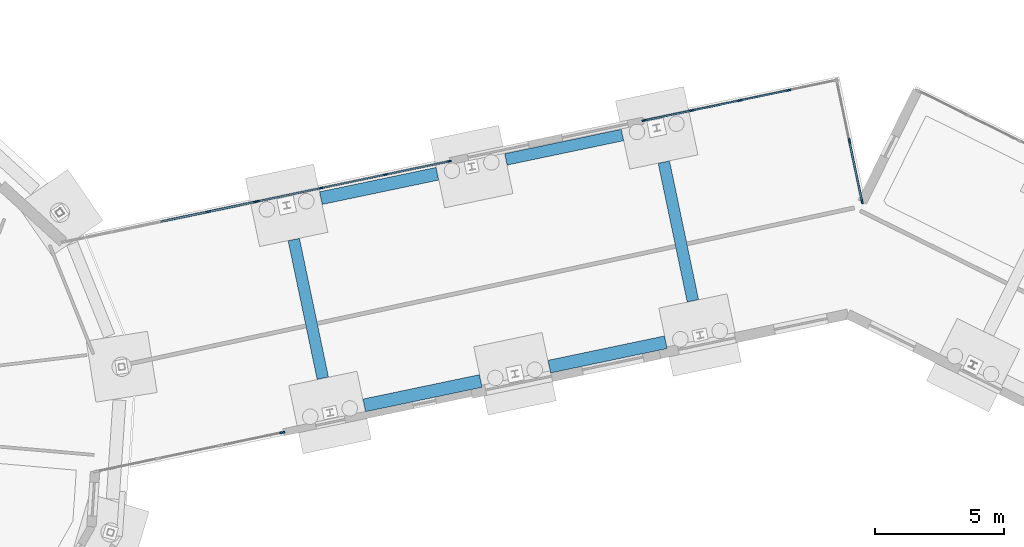
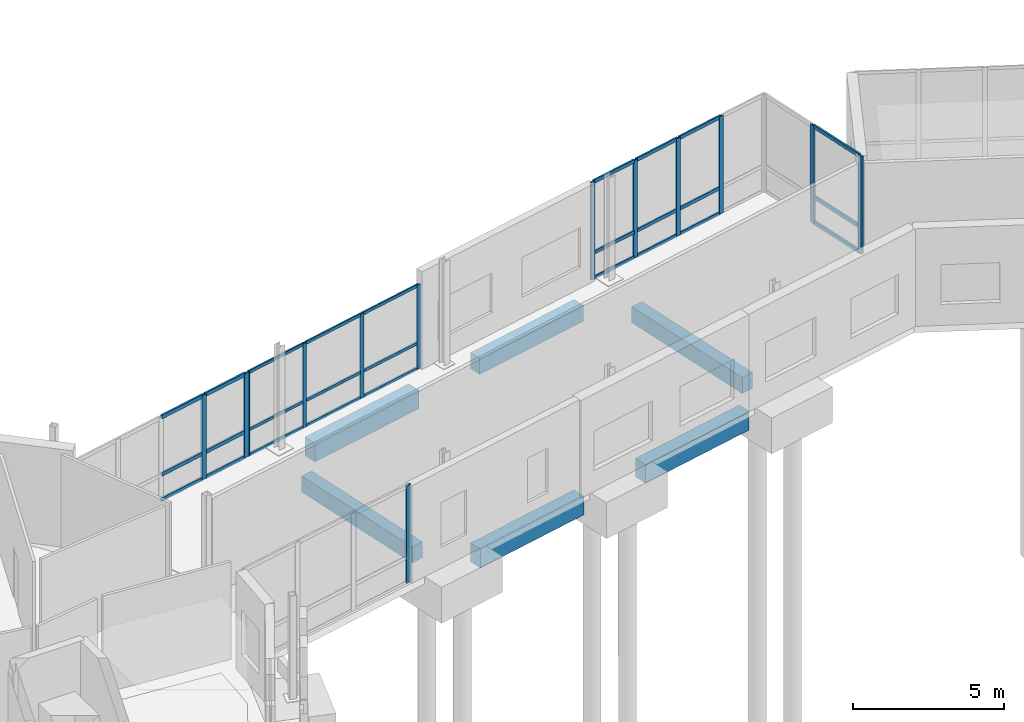
# One storey, part 49 of 113: 40 members, 6 beams, 5 elements without a shape of their own.
"""IFC4 building model written with IfcOpenShell, lengths in metres."""

from ifc_helpers import new_model, si_unit, direction, frame, origin, origin_2d, place, context, subcontext, project, spatial, rectangle, extrude, material, material_profile, profile_set, type_object, element, aggregate, save


model = new_model("IFC4")

# Units and contexts
model_context = context("Model", 3, precision=1e-05, world=origin(), true_north=direction((0.0, 1.0)))
body_context = subcontext(model_context, "Body", "Model", "MODEL_VIEW")
ifc_project = project(units=[si_unit("LENGTHUNIT", "METRE"), si_unit("AREAUNIT", "SQUARE_METRE"), si_unit("VOLUMEUNIT", "CUBIC_METRE"), si_unit("PLANEANGLEUNIT", "RADIAN"), si_unit("MASSUNIT", "GRAM", prefix="KILO")], contexts=[model_context])

# Site, building, storey
site_placement = place(None, origin())
site = spatial("IfcSite", under=ifc_project, at=site_placement, CompositionType="ELEMENT")
building_placement = place(site_placement, origin())
building = spatial("IfcBuilding", under=site, at=building_placement, Name="Wrenclough Park School", CompositionType="ELEMENT")
storey_placement = place(building_placement, origin())
storey = spatial("IfcBuildingStorey", under=building, at=storey_placement, Name="L00", CompositionType="ELEMENT", Elevation=0.0)

# Curtain wall, members
ifc_material_1 = material(Name="Thermally broken aluminium and low-e glass curtain wall", Category="aluminium")
curtain_wall_type_1 = type_object("IfcCurtainWallType", Name="ENV-CW-16", PredefinedType="USERDEFINED", material=ifc_material_1)
curtain_wall_1_placement = place(storey_placement, origin())
curtain_wall_1 = element("IfcCurtainWall", 1, at=curtain_wall_1_placement, inside=storey, type_object=curtain_wall_type_1, Name="L00 recessed curtain wall assembly 015", ObjectType="CURTAIN WALL", PredefinedType="USERDEFINED")
ifc_material_2 = material(Name="Thermally broken anodised aluminium", Category="aluminium")
ifc_material_profile_1 = material_profile(ifc_material_2, rectangle(XDim=0.06005859375, YDim=0.159912109375, at=origin_2d()), Name="AL MULLION 60x160")
ifc_profile_set_1 = profile_set([ifc_material_profile_1], Name="Thermally broken anodised aluminium")
member_type_1 = type_object("IfcMemberType", Name="ENV-CWM-1", PredefinedType="MULLION", material=ifc_profile_set_1)
member_1_placement = place(storey_placement, frame((102.529541015625, 117.16455078125, 0.0), z_axis=(0.0, 0.0, 1.0), x_axis=(-0.204858490521, 0.978791601344, 0.0)))
member_1 = element("IfcMember", 2, at=member_1_placement, type_object=member_type_1, Name="CW-16 mullion 1", PredefinedType="MULLION", context=body_context, shape_type="SweptSolid", body=[
    extrude(rectangle(XDim=0.06005859375, YDim=0.159912109375, at=origin_2d()), origin(), (0.0, 0.0, 1.0), 3.39892578125),
])
member_2_placement = place(storey_placement, frame((104.993896484375, 117.680419921875, 0.0), z_axis=(0.0, 0.0, 1.0), x_axis=(-0.204858490521, 0.978791601344, 0.0)))
member_2 = element("IfcMember", 3, at=member_2_placement, type_object=member_type_1, Name="CW-16 mullion 2", PredefinedType="MULLION", context=body_context, shape_type="SweptSolid", body=[
    extrude(rectangle(XDim=0.06005859375, YDim=0.159912109375, at=origin_2d()), origin(), (0.0, 0.0, 1.0), 3.39892578125),
])
member_3_placement = place(storey_placement, frame((107.48779296875, 118.202392578125, 0.0), z_axis=(0.0, 0.0, 1.0), x_axis=(-0.204858490521, 0.978791601344, 0.0)))
member_3 = element("IfcMember", 4, at=member_3_placement, type_object=member_type_1, Name="CW-16 mullion 3", PredefinedType="MULLION", context=body_context, shape_type="SweptSolid", body=[
    extrude(rectangle(XDim=0.06005859375, YDim=0.159912109375, at=origin_2d()), origin(), (0.0, 0.0, 1.0), 3.39892578125),
])
member_4_placement = place(storey_placement, frame((109.952392578125, 118.71826171875, 0.0), z_axis=(0.0, 0.0, 1.0), x_axis=(-0.204858490521, 0.978791601344, 0.0)))
member_4 = element("IfcMember", 5, at=member_4_placement, type_object=member_type_1, Name="CW-16 mullion 4", PredefinedType="MULLION", context=body_context, shape_type="SweptSolid", body=[
    extrude(rectangle(XDim=0.06005859375, YDim=0.159912109375, at=origin_2d()), origin(), (0.0, 0.0, 1.0), 3.39892578125),
])

curtain_wall_type_2 = type_object("IfcCurtainWallType", Name="ENV-CW-01", PredefinedType="USERDEFINED", material=ifc_material_1)
curtain_wall_2_placement = place(storey_placement, origin())
curtain_wall_2 = element("IfcCurtainWall", 6, at=curtain_wall_2_placement, inside=storey, type_object=curtain_wall_type_2, Name="L00 recessed curtain wall assembly 016", ObjectType="CURTAIN WALL", PredefinedType="USERDEFINED")
ifc_material_profile_2 = material_profile(ifc_material_2, rectangle(XDim=0.06494140625, YDim=0.179931640625, at=origin_2d()), Name="AL MULLION 65x180")
ifc_profile_set_2 = profile_set([ifc_material_profile_2], Name="Thermally broken anodised aluminium")
member_type_2 = type_object("IfcMemberType", Name="ENV-CWM-2", PredefinedType="MULLION", material=ifc_profile_set_2)
member_5_placement = place(storey_placement, frame((117.510986328125, 120.300048828125, 0.0), z_axis=(0.0, 0.0, 1.0), x_axis=(-0.204871023923, 0.978788978052, 0.0)))
member_5 = element("IfcMember", 7, at=member_5_placement, type_object=member_type_2, Name="CW-01 mullion 1", PredefinedType="MULLION", context=body_context, shape_type="SweptSolid", body=[
    extrude(rectangle(XDim=0.06494140625, YDim=0.179931640625, at=origin_2d()), origin(), (0.0, 0.0, 1.0), 3.93994140625),
])
member_6_placement = place(storey_placement, frame((119.349609375, 120.68505859375, 0.0), z_axis=(0.0, 0.0, 1.0), x_axis=(-0.204871023923, 0.978788978052, 0.0)))
member_6 = element("IfcMember", 8, at=member_6_placement, type_object=member_type_2, Name="CW-01 mullion 2", PredefinedType="MULLION", context=body_context, shape_type="SweptSolid", body=[
    extrude(rectangle(XDim=0.06494140625, YDim=0.179931640625, at=origin_2d()), origin(), (0.0, 0.0, 1.0), 3.93994140625),
])
member_7_placement = place(storey_placement, frame((121.219970703125, 121.076416015625, 0.0), z_axis=(0.0, 0.0, 1.0), x_axis=(-0.204871023923, 0.978788978052, 0.0)))
member_7 = element("IfcMember", 9, at=member_7_placement, type_object=member_type_2, Name="CW-01 mullion 3", PredefinedType="MULLION", context=body_context, shape_type="SweptSolid", body=[
    extrude(rectangle(XDim=0.06494140625, YDim=0.179931640625, at=origin_2d()), origin(), (0.0, 0.0, 1.0), 3.93994140625),
])
member_8_placement = place(storey_placement, frame((123.09033203125, 121.468017578125, 0.0), z_axis=(0.0, 0.0, 1.0), x_axis=(-0.204871023923, 0.978788978052, 0.0)))
member_8 = element("IfcMember", 10, at=member_8_placement, type_object=member_type_2, Name="CW-01 mullion 4", PredefinedType="MULLION", context=body_context, shape_type="SweptSolid", body=[
    extrude(rectangle(XDim=0.06494140625, YDim=0.179931640625, at=origin_2d()), origin(), (0.0, 0.0, 1.0), 3.93994140625),
])

curtain_wall_type_3 = type_object("IfcCurtainWallType", Name="ENV-CW-15", PredefinedType="USERDEFINED", material=ifc_material_1)
curtain_wall_3_placement = place(storey_placement, origin())
curtain_wall_3 = element("IfcCurtainWall", 11, at=curtain_wall_3_placement, inside=storey, type_object=curtain_wall_type_3, Name="L00 recessed curtain wall assembly 014", ObjectType="CURTAIN WALL", PredefinedType="USERDEFINED")
ifc_material_profile_3 = material_profile(ifc_material_2, rectangle(XDim=0.070068359375, YDim=0.199951171875, at=origin_2d()), Name="AL MULLION 70x200")
ifc_profile_set_3 = profile_set([ifc_material_profile_3], Name="Thermally broken anodised aluminium")
member_type_3 = type_object("IfcMemberType", Name="ENV-CWM-3", PredefinedType="MULLION", material=ifc_profile_set_3)
member_9_placement = place(storey_placement, frame((100.621826171875, 116.765380859375, 0.0), z_axis=(0.0, 0.0, 1.0), x_axis=(-0.204871023923, 0.978788978052, 0.0)))
member_9 = element("IfcMember", 12, at=member_9_placement, type_object=member_type_3, Name="CW-15 mullion 4", PredefinedType="MULLION", context=body_context, shape_type="SweptSolid", body=[
    extrude(rectangle(XDim=0.070068359375, YDim=0.199951171875, at=origin_2d()), origin(), (0.0, 0.0, 1.0), 3.39892578125),
])
member_10_placement = place(storey_placement, frame((102.4580078125, 117.149658203125, 0.0), z_axis=(0.0, 0.0, 1.0), x_axis=(-0.204871023923, 0.978788978052, 0.0)))
member_10 = element("IfcMember", 13, at=member_10_placement, type_object=member_type_3, Name="CW-15 mullion 5", PredefinedType="MULLION", context=body_context, shape_type="SweptSolid", body=[
    extrude(rectangle(XDim=0.070068359375, YDim=0.199951171875, at=origin_2d()), origin(), (0.0, 0.0, 1.0), 3.39892578125),
])

curtain_wall_type_4 = type_object("IfcCurtainWallType", Name="ENV-CW-02", PredefinedType="USERDEFINED", material=ifc_material_1)
curtain_wall_4_placement = place(storey_placement, origin())
curtain_wall_4 = element("IfcCurtainWall", 14, at=curtain_wall_4_placement, inside=storey, type_object=curtain_wall_type_4, Name="L00 recessed curtain wall assembly 017", ObjectType="CURTAIN WALL", PredefinedType="USERDEFINED")
member_11_placement = place(storey_placement, frame((125.459228515625, 119.498046875, 0.0), z_axis=(0.0, 0.0, 1.0), x_axis=(0.978788883451, 0.20487147589, 0.0)))
member_11 = element("IfcMember", 15, at=member_11_placement, type_object=member_type_3, Name="CW-02 mullion 2", PredefinedType="MULLION", context=body_context, shape_type="SweptSolid", body=[
    extrude(rectangle(XDim=0.070068359375, YDim=0.199951171875, at=origin_2d()), origin(), (0.0, 0.0, 1.0), 3.93994140625),
])
member_12_placement = place(storey_placement, frame((125.945556640625, 117.173828125, 0.0), z_axis=(0.0, 0.0, 1.0), x_axis=(0.978788883451, 0.20487147589, 0.0)))
member_12 = element("IfcMember", 16, at=member_12_placement, type_object=member_type_3, Name="CW-02 mullion 3", PredefinedType="MULLION", context=body_context, shape_type="SweptSolid", body=[
    extrude(rectangle(XDim=0.070068359375, YDim=0.199951171875, at=origin_2d()), origin(), (0.0, 0.0, 1.0), 3.93994140625),
])

# Curtain wall, member
curtain_wall_5_placement = place(storey_placement, origin())
curtain_wall_5 = element("IfcCurtainWall", 17, at=curtain_wall_5_placement, inside=storey, type_object=curtain_wall_type_4, Name="L00 recessed curtain wall assembly 065", ObjectType="CURTAIN WALL", PredefinedType="USERDEFINED")
member_13_placement = place(storey_placement, frame((103.494140625, 108.21240234375, 0.0), z_axis=(0.0, 0.0, 1.0), x_axis=(0.204873635602, -0.978788431396, 0.0)))
member_13 = element("IfcMember", 18, at=member_13_placement, type_object=member_type_3, Name="CW-02 mullion 1", PredefinedType="MULLION", context=body_context, shape_type="SweptSolid", body=[
    extrude(rectangle(XDim=0.070068359375, YDim=0.199951171875, at=origin_2d()), origin(), (0.0, 0.0, 1.0), 3.93994140625),
])
aggregate(curtain_wall_5, [member_13])

# Member
ifc_material_profile_4 = material_profile(ifc_material_2, rectangle(XDim=0.06005859375, YDim=0.1201171875, at=origin_2d()), Name="AL TRANSOM 60x120")
ifc_profile_set_4 = profile_set([ifc_material_profile_4], Name="Thermally broken anodised aluminium")
member_type_4 = type_object("IfcMemberType", Name="ENV-CWT-1", PredefinedType="USERDEFINED", material=ifc_profile_set_4)
member_14_placement = place(storey_placement, frame((102.558837890625, 117.1708984375, 0.030029296875), z_axis=(0.97879988821, 0.204818892783, 0.0), x_axis=(-0.204818892783, 0.97879988821, 0.0)))
member_14 = element("IfcMember", 19, at=member_14_placement, type_object=member_type_4, Name="CW-16 transom 1.1", ObjectType="TRANSOM", PredefinedType="USERDEFINED", context=body_context, shape_type="SweptSolid", body=[
    extrude(rectangle(XDim=0.06005859375, YDim=0.1201171875, at=origin_2d()), origin(), (0.0, 0.0, 1.0), 2.457763671875),
])

member_15_placement = place(storey_placement, frame((102.558837890625, 117.1708984375, 1.050048828125), z_axis=(0.97879988821, 0.204818892783, 0.0), x_axis=(-0.204818892783, 0.97879988821, 0.0)))
member_15 = element("IfcMember", 20, at=member_15_placement, type_object=member_type_4, Name="CW-16 transom 1.2", ObjectType="TRANSOM", PredefinedType="USERDEFINED", context=body_context, shape_type="SweptSolid", body=[
    extrude(rectangle(XDim=0.06005859375, YDim=0.1201171875, at=origin_2d()), origin(), (0.0, 0.0, 1.0), 2.457763671875),
])

member_16_placement = place(storey_placement, frame((102.558837890625, 117.1708984375, 3.368896484375), z_axis=(0.97879988821, 0.204818892783, 0.0), x_axis=(-0.204818892783, 0.97879988821, 0.0)))
member_16 = element("IfcMember", 21, at=member_16_placement, type_object=member_type_4, Name="CW-16 transom 1.3", ObjectType="TRANSOM", PredefinedType="USERDEFINED", context=body_context, shape_type="SweptSolid", body=[
    extrude(rectangle(XDim=0.06005859375, YDim=0.1201171875, at=origin_2d()), origin(), (0.0, 0.0, 1.0), 2.457763671875),
])

member_17_placement = place(storey_placement, frame((105.0234375, 117.6865234375, 0.030029296875), z_axis=(0.978782387359, 0.204902509004, 0.0), x_axis=(-0.204902509004, 0.978782387359, 0.0)))
member_17 = element("IfcMember", 22, at=member_17_placement, type_object=member_type_4, Name="CW-16 transom 2.1", ObjectType="TRANSOM", PredefinedType="USERDEFINED", context=body_context, shape_type="SweptSolid", body=[
    extrude(rectangle(XDim=0.06005859375, YDim=0.1201171875, at=origin_2d()), origin(), (0.0, 0.0, 1.0), 2.48779296875),
])

member_18_placement = place(storey_placement, frame((105.0234375, 117.6865234375, 1.050048828125), z_axis=(0.978782387359, 0.204902509004, 0.0), x_axis=(-0.204902509004, 0.978782387359, 0.0)))
member_18 = element("IfcMember", 23, at=member_18_placement, type_object=member_type_4, Name="CW-16 transom 2.2", ObjectType="TRANSOM", PredefinedType="USERDEFINED", context=body_context, shape_type="SweptSolid", body=[
    extrude(rectangle(XDim=0.06005859375, YDim=0.1201171875, at=origin_2d()), origin(), (0.0, 0.0, 1.0), 2.48779296875),
])

member_19_placement = place(storey_placement, frame((105.0234375, 117.6865234375, 3.368896484375), z_axis=(0.978782387359, 0.204902509004, 0.0), x_axis=(-0.204902509004, 0.978782387359, 0.0)))
member_19 = element("IfcMember", 24, at=member_19_placement, type_object=member_type_4, Name="CW-16 transom 2.3", ObjectType="TRANSOM", PredefinedType="USERDEFINED", context=body_context, shape_type="SweptSolid", body=[
    extrude(rectangle(XDim=0.06005859375, YDim=0.1201171875, at=origin_2d()), origin(), (0.0, 0.0, 1.0), 2.48779296875),
])

member_20_placement = place(storey_placement, frame((107.517333984375, 118.20849609375, 0.030029296875), z_axis=(0.978779970595, 0.204914053109, 0.0), x_axis=(-0.204914053109, 0.978779970595, 0.0)))
member_20 = element("IfcMember", 25, at=member_20_placement, type_object=member_type_4, Name="CW-16 transom 3.1", ObjectType="TRANSOM", PredefinedType="USERDEFINED", context=body_context, shape_type="SweptSolid", body=[
    extrude(rectangle(XDim=0.06005859375, YDim=0.1201171875, at=origin_2d()), origin(), (0.0, 0.0, 1.0), 2.4580078125),
])

member_21_placement = place(storey_placement, frame((107.517333984375, 118.20849609375, 1.050048828125), z_axis=(0.978779970595, 0.204914053109, 0.0), x_axis=(-0.204914053109, 0.978779970595, 0.0)))
member_21 = element("IfcMember", 26, at=member_21_placement, type_object=member_type_4, Name="CW-16 transom 3.2", ObjectType="TRANSOM", PredefinedType="USERDEFINED", context=body_context, shape_type="SweptSolid", body=[
    extrude(rectangle(XDim=0.06005859375, YDim=0.1201171875, at=origin_2d()), origin(), (0.0, 0.0, 1.0), 2.4580078125),
])

member_22_placement = place(storey_placement, frame((107.517333984375, 118.20849609375, 3.368896484375), z_axis=(0.978779970595, 0.204914053109, 0.0), x_axis=(-0.204914053109, 0.978779970595, 0.0)))
member_22 = element("IfcMember", 27, at=member_22_placement, type_object=member_type_4, Name="CW-16 transom 3.3", ObjectType="TRANSOM", PredefinedType="USERDEFINED", context=body_context, shape_type="SweptSolid", body=[
    extrude(rectangle(XDim=0.06005859375, YDim=0.1201171875, at=origin_2d()), origin(), (0.0, 0.0, 1.0), 2.4580078125),
])

aggregate(curtain_wall_1, [member_1, member_2, member_3, member_4, member_14, member_15, member_16, member_17, member_18, member_19, member_20, member_21, member_22])

ifc_material_profile_5 = material_profile(ifc_material_2, rectangle(XDim=0.06494140625, YDim=0.139892578125, at=origin_2d()), Name="AL TRANSOM 65x140")
ifc_profile_set_5 = profile_set([ifc_material_profile_5], Name="Thermally broken anodised aluminium")
member_type_5 = type_object("IfcMemberType", Name="ENV-CWT-2", PredefinedType="USERDEFINED", material=ifc_profile_set_5)
member_23_placement = place(storey_placement, frame((117.542724609375, 120.306884765625, 0.032470703125), z_axis=(0.978807573548, 0.204782162224, 0.0), x_axis=(-0.204782162224, 0.978807573548, 0.0)))
member_23 = element("IfcMember", 28, at=member_23_placement, type_object=member_type_5, Name="CW-01 transom 1.1", ObjectType="TRANSOM", PredefinedType="USERDEFINED", context=body_context, shape_type="SweptSolid", body=[
    extrude(rectangle(XDim=0.06494140625, YDim=0.139892578125, at=origin_2d()), origin(), (0.0, 0.0, 1.0), 1.813232421875),
])

member_24_placement = place(storey_placement, frame((117.542724609375, 120.306884765625, 1.050048828125), z_axis=(0.978807573548, 0.204782162224, 0.0), x_axis=(-0.204782162224, 0.978807573548, 0.0)))
member_24 = element("IfcMember", 29, at=member_24_placement, type_object=member_type_5, Name="CW-01 transom 1.2", ObjectType="TRANSOM", PredefinedType="USERDEFINED", context=body_context, shape_type="SweptSolid", body=[
    extrude(rectangle(XDim=0.06494140625, YDim=0.139892578125, at=origin_2d()), origin(), (0.0, 0.0, 1.0), 1.813232421875),
])

member_25_placement = place(storey_placement, frame((117.542724609375, 120.306884765625, 3.907470703125), z_axis=(0.978807573548, 0.204782162224, 0.0), x_axis=(-0.204782162224, 0.978807573548, 0.0)))
member_25 = element("IfcMember", 30, at=member_25_placement, type_object=member_type_5, Name="CW-01 transom 1.3", ObjectType="TRANSOM", PredefinedType="USERDEFINED", context=body_context, shape_type="SweptSolid", body=[
    extrude(rectangle(XDim=0.06494140625, YDim=0.139892578125, at=origin_2d()), origin(), (0.0, 0.0, 1.0), 1.813232421875),
])

member_26_placement = place(storey_placement, frame((119.38134765625, 120.691650390625, 0.032470703125), z_axis=(0.978791858667, 0.204857261056, 0.0), x_axis=(-0.204857261056, 0.978791858667, 0.0)))
member_26 = element("IfcMember", 31, at=member_26_placement, type_object=member_type_5, Name="CW-01 transom 2.1", ObjectType="TRANSOM", PredefinedType="USERDEFINED", context=body_context, shape_type="SweptSolid", body=[
    extrude(rectangle(XDim=0.06494140625, YDim=0.139892578125, at=origin_2d()), origin(), (0.0, 0.0, 1.0), 1.845947265625),
])

member_27_placement = place(storey_placement, frame((119.38134765625, 120.691650390625, 1.050048828125), z_axis=(0.978791858667, 0.204857261056, 0.0), x_axis=(-0.204857261056, 0.978791858667, 0.0)))
member_27 = element("IfcMember", 32, at=member_27_placement, type_object=member_type_5, Name="CW-01 transom 2.2", ObjectType="TRANSOM", PredefinedType="USERDEFINED", context=body_context, shape_type="SweptSolid", body=[
    extrude(rectangle(XDim=0.06494140625, YDim=0.139892578125, at=origin_2d()), origin(), (0.0, 0.0, 1.0), 1.845947265625),
])

member_28_placement = place(storey_placement, frame((119.38134765625, 120.691650390625, 3.907470703125), z_axis=(0.978791858667, 0.204857261056, 0.0), x_axis=(-0.204857261056, 0.978791858667, 0.0)))
member_28 = element("IfcMember", 33, at=member_28_placement, type_object=member_type_5, Name="CW-01 transom 2.3", ObjectType="TRANSOM", PredefinedType="USERDEFINED", context=body_context, shape_type="SweptSolid", body=[
    extrude(rectangle(XDim=0.06494140625, YDim=0.139892578125, at=origin_2d()), origin(), (0.0, 0.0, 1.0), 1.845947265625),
])

member_29_placement = place(storey_placement, frame((121.251708984375, 121.083251953125, 0.032470703125), z_axis=(0.978791858667, 0.204857261056, 0.0), x_axis=(-0.204857261056, 0.978791858667, 0.0)))
member_29 = element("IfcMember", 34, at=member_29_placement, type_object=member_type_5, Name="CW-01 transom 3.1", ObjectType="TRANSOM", PredefinedType="USERDEFINED", context=body_context, shape_type="SweptSolid", body=[
    extrude(rectangle(XDim=0.06494140625, YDim=0.139892578125, at=origin_2d()), origin(), (0.0, 0.0, 1.0), 1.845947265625),
])

member_30_placement = place(storey_placement, frame((121.251708984375, 121.083251953125, 1.050048828125), z_axis=(0.978791858667, 0.204857261056, 0.0), x_axis=(-0.204857261056, 0.978791858667, 0.0)))
member_30 = element("IfcMember", 35, at=member_30_placement, type_object=member_type_5, Name="CW-01 transom 3.2", ObjectType="TRANSOM", PredefinedType="USERDEFINED", context=body_context, shape_type="SweptSolid", body=[
    extrude(rectangle(XDim=0.06494140625, YDim=0.139892578125, at=origin_2d()), origin(), (0.0, 0.0, 1.0), 1.845947265625),
])

member_31_placement = place(storey_placement, frame((121.251708984375, 121.083251953125, 3.907470703125), z_axis=(0.978791858667, 0.204857261056, 0.0), x_axis=(-0.204857261056, 0.978791858667, 0.0)))
member_31 = element("IfcMember", 36, at=member_31_placement, type_object=member_type_5, Name="CW-01 transom 3.3", ObjectType="TRANSOM", PredefinedType="USERDEFINED", context=body_context, shape_type="SweptSolid", body=[
    extrude(rectangle(XDim=0.06494140625, YDim=0.139892578125, at=origin_2d()), origin(), (0.0, 0.0, 1.0), 1.845947265625),
])

aggregate(curtain_wall_2, [member_5, member_6, member_7, member_8, member_23, member_24, member_25, member_26, member_27, member_28, member_29, member_30, member_31])

ifc_material_profile_6 = material_profile(ifc_material_2, rectangle(XDim=0.070068359375, YDim=0.14990234375, at=origin_2d()), Name="AL TRANSOM 70x150")
ifc_profile_set_6 = profile_set([ifc_material_profile_6], Name="Thermally broken anodised aluminium")
member_type_6 = type_object("IfcMemberType", Name="ENV-CWT-3", PredefinedType="USERDEFINED", material=ifc_profile_set_6)
member_32_placement = place(storey_placement, frame((98.78564453125, 116.381103515625, 0.034912109375), z_axis=(0.978786914789, 0.204880881093, 0.0), x_axis=(-0.204880881093, 0.978786914789, 0.0)))
member_32 = element("IfcMember", 37, at=member_32_placement, type_object=member_type_6, Name="CW-15 transom 3.1", ObjectType="TRANSOM", PredefinedType="USERDEFINED", context=body_context, shape_type="SweptSolid", body=[
    extrude(rectangle(XDim=0.070068359375, YDim=0.14990234375, at=origin_2d()), origin(), (0.0, 0.0, 1.0), 1.841064453125),
])

member_33_placement = place(storey_placement, frame((98.78564453125, 116.381103515625, 1.050048828125), z_axis=(0.978786914789, 0.204880881093, 0.0), x_axis=(-0.204880881093, 0.978786914789, 0.0)))
member_33 = element("IfcMember", 38, at=member_33_placement, type_object=member_type_6, Name="CW-15 transom 3.2", ObjectType="TRANSOM", PredefinedType="USERDEFINED", context=body_context, shape_type="SweptSolid", body=[
    extrude(rectangle(XDim=0.070068359375, YDim=0.14990234375, at=origin_2d()), origin(), (0.0, 0.0, 1.0), 1.841064453125),
])

member_34_placement = place(storey_placement, frame((98.78564453125, 116.381103515625, 3.364013671875), z_axis=(0.978786914789, 0.204880881093, 0.0), x_axis=(-0.204880881093, 0.978786914789, 0.0)))
member_34 = element("IfcMember", 39, at=member_34_placement, type_object=member_type_6, Name="CW-15 transom 3.3", ObjectType="TRANSOM", PredefinedType="USERDEFINED", context=body_context, shape_type="SweptSolid", body=[
    extrude(rectangle(XDim=0.070068359375, YDim=0.14990234375, at=origin_2d()), origin(), (0.0, 0.0, 1.0), 1.841064453125),
])

member_35_placement = place(storey_placement, frame((100.65625, 116.7724609375, 0.034912109375), z_axis=(0.978772969916, 0.204947489281, 0.0), x_axis=(-0.204947489281, 0.978772969916, 0.0)))
member_35 = element("IfcMember", 40, at=member_35_placement, type_object=member_type_6, Name="CW-15 transom 4.1", ObjectType="TRANSOM", PredefinedType="USERDEFINED", context=body_context, shape_type="SweptSolid", body=[
    extrude(rectangle(XDim=0.070068359375, YDim=0.14990234375, at=origin_2d()), origin(), (0.0, 0.0, 1.0), 1.805908203125),
])

member_36_placement = place(storey_placement, frame((100.65625, 116.7724609375, 1.050048828125), z_axis=(0.978772969916, 0.204947489281, 0.0), x_axis=(-0.204947489281, 0.978772969916, 0.0)))
member_36 = element("IfcMember", 41, at=member_36_placement, type_object=member_type_6, Name="CW-15 transom 4.2", ObjectType="TRANSOM", PredefinedType="USERDEFINED", context=body_context, shape_type="SweptSolid", body=[
    extrude(rectangle(XDim=0.070068359375, YDim=0.14990234375, at=origin_2d()), origin(), (0.0, 0.0, 1.0), 1.805908203125),
])

member_37_placement = place(storey_placement, frame((100.65625, 116.7724609375, 3.364013671875), z_axis=(0.978772969916, 0.204947489281, 0.0), x_axis=(-0.204947489281, 0.978772969916, 0.0)))
member_37 = element("IfcMember", 42, at=member_37_placement, type_object=member_type_6, Name="CW-15 transom 4.3", ObjectType="TRANSOM", PredefinedType="USERDEFINED", context=body_context, shape_type="SweptSolid", body=[
    extrude(rectangle(XDim=0.070068359375, YDim=0.14990234375, at=origin_2d()), origin(), (0.0, 0.0, 1.0), 1.805908203125),
])

aggregate(curtain_wall_3, [member_9, member_10, member_32, member_33, member_34, member_35, member_36, member_37])

member_38_placement = place(storey_placement, frame((125.46630859375, 119.463623046875, 0.034912109375), z_axis=(0.204889117731, -0.97878519065, 0.0), x_axis=(0.97878519065, 0.204889117731, 0.0)))
member_38 = element("IfcMember", 43, at=member_38_placement, type_object=member_type_6, Name="CW-02 transom 2.1", ObjectType="TRANSOM", PredefinedType="USERDEFINED", context=body_context, shape_type="SweptSolid", body=[
    extrude(rectangle(XDim=0.070068359375, YDim=0.14990234375, at=origin_2d()), origin(), (0.0, 0.0, 1.0), 2.304443359375),
])

member_39_placement = place(storey_placement, frame((125.46630859375, 119.463623046875, 1.050048828125), z_axis=(0.204889117731, -0.97878519065, 0.0), x_axis=(0.97878519065, 0.204889117731, 0.0)))
member_39 = element("IfcMember", 44, at=member_39_placement, type_object=member_type_6, Name="CW-02 transom 2.2", ObjectType="TRANSOM", PredefinedType="USERDEFINED", context=body_context, shape_type="SweptSolid", body=[
    extrude(rectangle(XDim=0.070068359375, YDim=0.14990234375, at=origin_2d()), origin(), (0.0, 0.0, 1.0), 2.304443359375),
])

member_40_placement = place(storey_placement, frame((125.46630859375, 119.463623046875, 3.905029296875), z_axis=(0.204889117731, -0.97878519065, 0.0), x_axis=(0.97878519065, 0.204889117731, 0.0)))
member_40 = element("IfcMember", 45, at=member_40_placement, type_object=member_type_6, Name="CW-02 transom 2.3", ObjectType="TRANSOM", PredefinedType="USERDEFINED", context=body_context, shape_type="SweptSolid", body=[
    extrude(rectangle(XDim=0.070068359375, YDim=0.14990234375, at=origin_2d()), origin(), (0.0, 0.0, 1.0), 2.304443359375),
])

aggregate(curtain_wall_4, [member_11, member_12, member_38, member_39, member_40])

# Beams
ifc_material_3 = material(Name="Concrete C35/45", Category="concrete")
ifc_material_profile_7 = material_profile(ifc_material_3, rectangle(XDim=0.449951171875, YDim=0.64990234375, at=origin_2d()), Name="RC GROUND 450x650")
ifc_profile_set_7 = profile_set([ifc_material_profile_7], Name="Concrete C35/45")
beam_type_1 = type_object("IfcBeamType", Name="STR-BM-GTB1", PredefinedType="USERDEFINED", material=ifc_profile_set_7)
beam_1_placement = place(storey_placement, frame((103.938232421875, 115.683837890625, -0.625), z_axis=(0.204875056516, -0.978788133979, 0.0), x_axis=(0.978788133979, 0.204875056516, 0.0)))
element("IfcBeam", 46, at=beam_1_placement, inside=storey, type_object=beam_type_1, Name="Reinforced concrete ground tie beam 155", ObjectType="GROUND TIE BEAM", PredefinedType="USERDEFINED", context=body_context, shape_type="SweptSolid", body=[
    extrude(rectangle(XDim=0.449951171875, YDim=0.64990234375, at=origin_2d()), origin(), (0.0, 0.0, 1.0), 5.48388671875),
])
beam_2_placement = place(storey_placement, frame((112.156005859375, 118.791259765625, -0.625), z_axis=(0.978790378079, 0.204864335063, 0.0), x_axis=(-0.204864335063, 0.978790378079, 0.0)))
element("IfcBeam", 47, at=beam_2_placement, inside=storey, type_object=beam_type_1, Name="Reinforced concrete ground tie beam 157", ObjectType="GROUND TIE BEAM", PredefinedType="USERDEFINED", context=body_context, shape_type="SweptSolid", body=[
    extrude(rectangle(XDim=0.449951171875, YDim=0.64990234375, at=origin_2d()), origin(), (0.0, 0.0, 1.0), 4.60595703125),
])
beam_3_placement = place(storey_placement, frame((118.271484375, 118.683837890625, -0.625), z_axis=(0.204875056516, -0.978788133979, 0.0), x_axis=(0.978788133979, 0.204875056516, 0.0)))
element("IfcBeam", 48, at=beam_3_placement, inside=storey, type_object=beam_type_1, Name="Reinforced concrete ground tie beam 159", ObjectType="GROUND TIE BEAM", PredefinedType="USERDEFINED", context=body_context, shape_type="SweptSolid", body=[
    extrude(rectangle(XDim=0.449951171875, YDim=0.64990234375, at=origin_2d()), origin(), (0.0, 0.0, 1.0), 5.48388671875),
])
ifc_material_profile_8 = material_profile(ifc_material_3, rectangle(XDim=0.5, YDim=0.75, at=origin_2d()), Name="RC GROUND 500x750")
ifc_profile_set_8 = profile_set([ifc_material_profile_8], Name="Concrete C35/45")
beam_type_2 = type_object("IfcBeamType", Name="STR-BM-GTB2", PredefinedType="USERDEFINED", material=ifc_profile_set_8)
for number, where, z_axis, x_axis, name in (
    (49, (104.9892578125, 117.291259765625, -0.675048828125), (0.978790378079, 0.204864335063, 0.0), (-0.204864335063, 0.978790378079, 0.0), "Reinforced concrete ground tie beam 154"),
    (50, (106.669189453125, 109.26513671875, -0.675048828125), (0.978790378079, 0.204864335063, 0.0), (-0.204864335063, 0.978790378079, 0.0), "Reinforced concrete ground tie beam 156"),
    (51, (113.835693359375, 110.76513671875, -0.675048828125), (0.978790378079, 0.204864335063, 0.0), (-0.204864335063, 0.978790378079, 0.0), "Reinforced concrete ground tie beam 158"),
):
    element("IfcBeam", number, at=place(storey_placement, frame(where, z_axis=z_axis, x_axis=x_axis)), inside=storey, type_object=beam_type_2, Name=name, ObjectType="GROUND TIE BEAM", PredefinedType="USERDEFINED", context=body_context, shape_type="SweptSolid", body=[
        extrude(rectangle(XDim=0.5, YDim=0.75, at=origin_2d()), origin(), (0.0, 0.0, 1.0), 4.60595703125),
    ])

save(model, "model.ifc")
